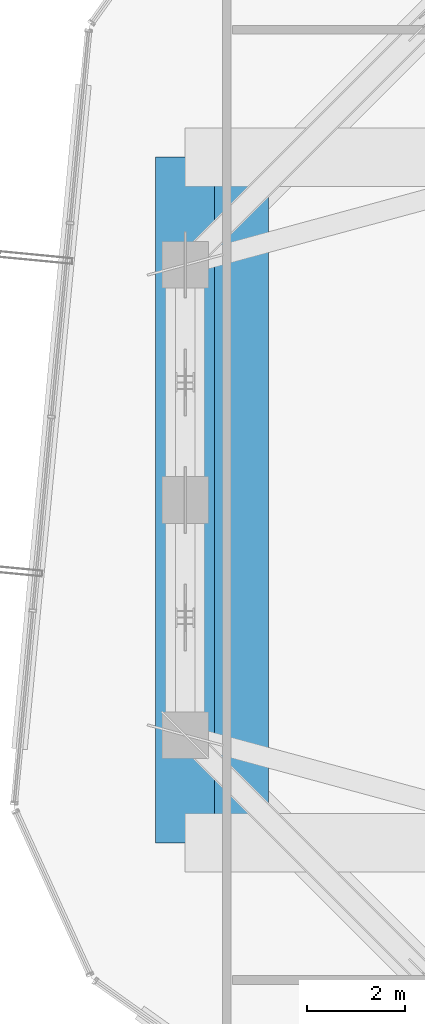
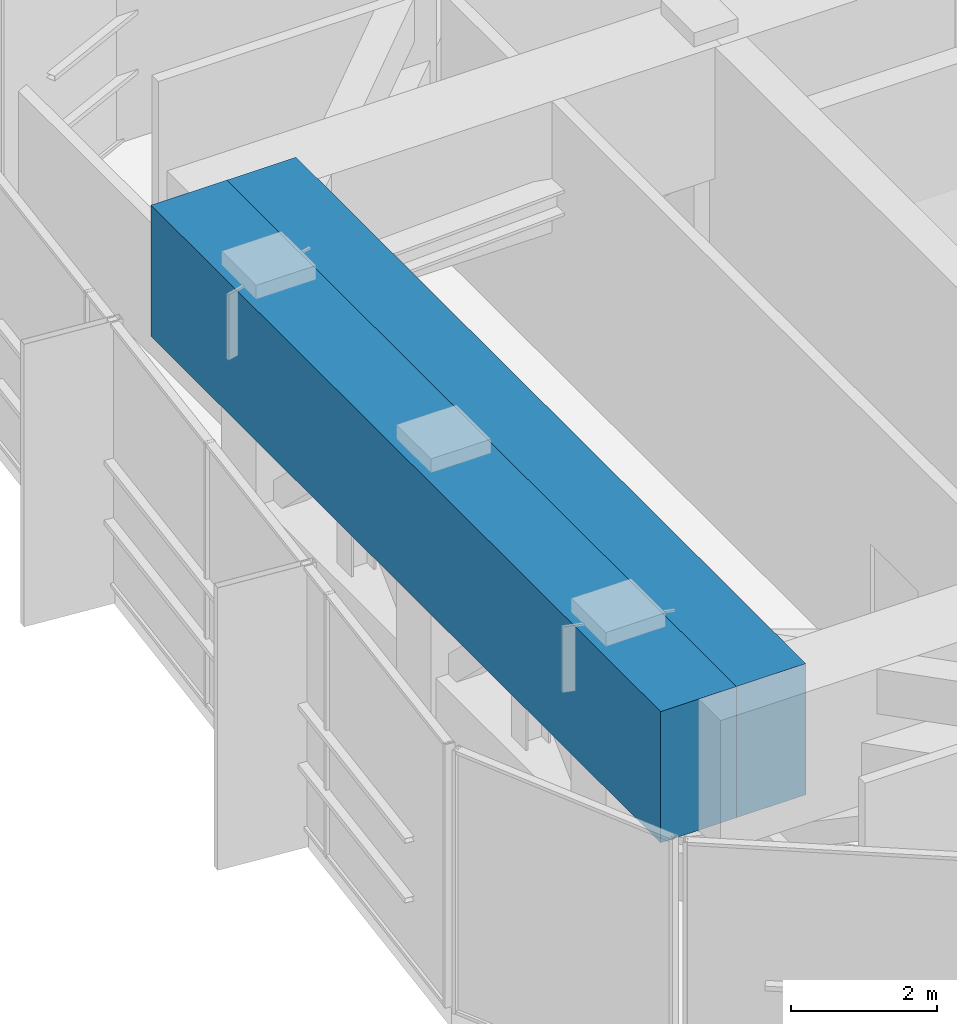
# One storey, part 11 of 31: 2 beams.
"""IFC4 building model written with IfcOpenShell, lengths in metres."""

from ifc_helpers import new_model, si_unit, direction, frame, origin, origin_2d, place, context, subcontext, project, spatial, rectangle, extrude, material, material_profile, profile_set, type_object, element, save


model = new_model("IFC4")

# Units and contexts
model_context = context("Model", 3, precision=1e-05, world=origin(), true_north=direction((0.0, 1.0)))
body_context = subcontext(model_context, "Body", "Model", "MODEL_VIEW")
ifc_project = project(units=[si_unit("LENGTHUNIT", "METRE"), si_unit("AREAUNIT", "SQUARE_METRE"), si_unit("VOLUMEUNIT", "CUBIC_METRE"), si_unit("PLANEANGLEUNIT", "RADIAN"), si_unit("MASSUNIT", "GRAM", prefix="KILO")], contexts=[model_context])

# Site, building, storey
site_placement = place(None, origin())
site = spatial("IfcSite", under=ifc_project, at=site_placement, CompositionType="ELEMENT")
building_placement = place(site_placement, origin())
building = spatial("IfcBuilding", under=site, at=building_placement, Name="Veraguas Prism Commons", CompositionType="ELEMENT")
storey_placement = place(building_placement, frame((0.0, 0.0, 225.39990234375)))
storey = spatial("IfcBuildingStorey", under=building, at=storey_placement, Name="L64", CompositionType="ELEMENT", Elevation=225.39990234375)

# Beams
ifc_material = material(Name="Concrete C50/60", Category="concrete")
ifc_material_profile = material_profile(ifc_material, rectangle(XDim=1.199951171875, YDim=2.199951171875, at=origin_2d()), Name="RC1200X2200")
ifc_profile_set = profile_set([ifc_material_profile], Name="Concrete C50/60")
beam_type = type_object("IfcBeamType", Name="Podium Transfer Girder RC 1200x2200", PredefinedType="BEAM", material=ifc_profile_set)
for number, where, z_axis, x_axis, name in (
    (1, (9.10009765625, 17.0, 3.315185546875), (0.0, 1.0, 0.0), (-1.0, 0.0, 0.0), "West Outer Edge Transfer Girder L64"),
    (2, (10.199951171875, 17.0, 3.315185546875), (0.0, 1.0, 0.0), (-1.0, 0.0, 0.0), "West Setback Transfer Girder L64"),
):
    element("IfcBeam", number, at=place(storey_placement, frame(where, z_axis=z_axis, x_axis=x_axis)), inside=storey, type_object=beam_type, Name=name, PredefinedType="BEAM", context=body_context, shape_type="SweptSolid", body=[
        extrude(rectangle(XDim=1.199951171875, YDim=2.199951171875, at=origin_2d()), origin(), (0.0, 0.0, 1.0), 14.0),
    ])

save(model, "model.ifc")
